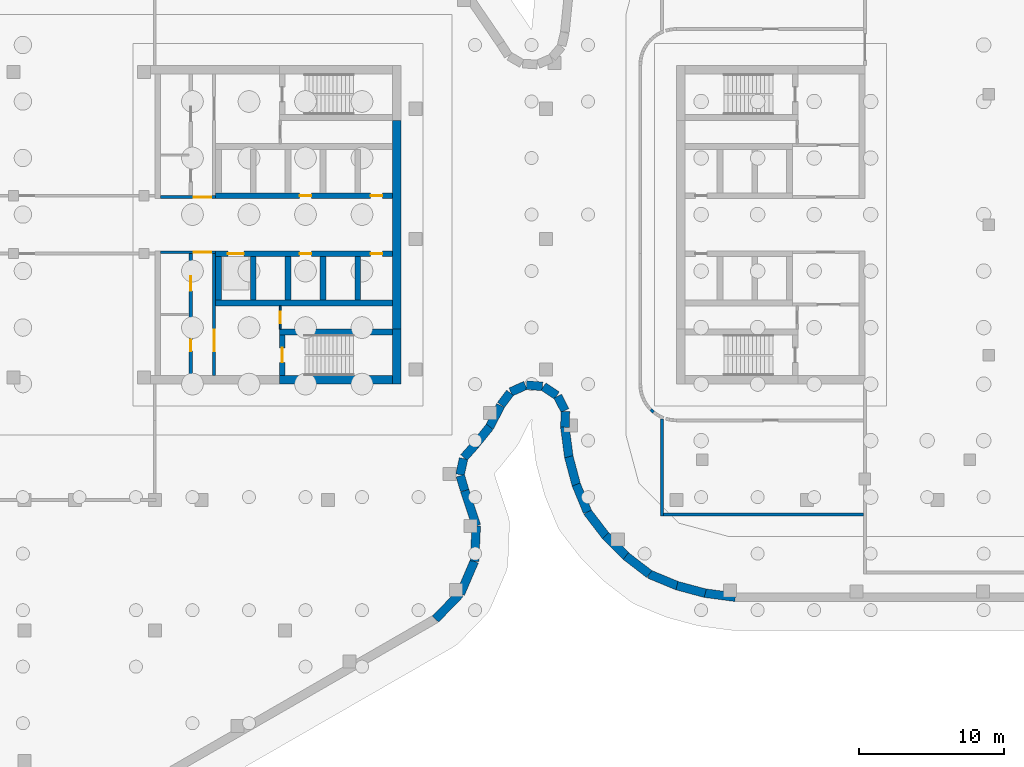
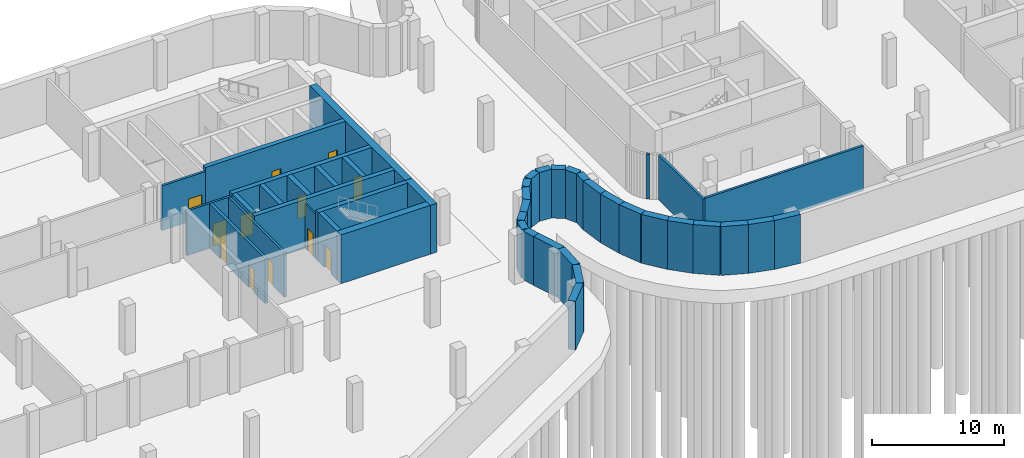
# One storey, part 8 of 18: 45 walls, 12 doors, 12 openings.
"""IFC4 building model written with IfcOpenShell, lengths in metres."""

import ifcopenshell
import ifcopenshell.guid

model = None  # the IFC model being written
_history = None  # IfcOwnerHistory: only IFC2X3 demands one
_inside = {}  # id of a spatial element -> (the spatial element, [elements in it])
_under = {}  # id of a project, library or spatial element -> (it, [spatial elements below it])
_declared = {}  # id of a project -> (the project, [libraries it declares])
_typed = {}  # id of a type object -> (the type object, [elements of that type])
_made_of = {}  # id of a material, layer set ... -> (it, [elements and type objects made of it])


def new_model(schema):
    """Start an empty IFC model of exactly this schema.

    Asked for "IFC4X3", IfcOpenShell would pick the latest addendum, in which some entities
    have other attributes; the version numbers below select the first issue.
    IFC2X3 requires an IfcOwnerHistory on every rooted entity: one is made here for all.
    """
    global model, _history
    if schema == "IFC4X3":
        model = ifcopenshell.file(schema_version=(4, 3, 0, 0))
    else:
        model = ifcopenshell.file(schema=schema)
    _inside.clear()
    _under.clear()
    _declared.clear()
    _typed.clear()
    _made_of.clear()
    _history = None
    if model.schema == "IFC2X3":
        org = make("IfcOrganization", Name="unknown")
        user = make(
            "IfcPersonAndOrganization",
            ThePerson=make("IfcPerson", FamilyName="unknown"),
            TheOrganization=org,
        )
        app = make(
            "IfcApplication",
            ApplicationDeveloper=org,
            Version="unknown",
            ApplicationFullName="unknown",
            ApplicationIdentifier="unknown",
        )
        _history = make(
            "IfcOwnerHistory",
            OwningUser=user,
            OwningApplication=app,
            ChangeAction="ADDED",
            CreationDate=0,
        )
    return model


def make(cls, **values):
    """One entity of the class cls with the attributes given. An attribute that is None is left unset."""
    return model.create_entity(
        cls, **{name: value for name, value in values.items() if value is not None}
    )


def rooted(cls, **values):
    """An entity with a GlobalId (a new one), such as an element, a storey or a relation."""
    return make(cls, GlobalId=ifcopenshell.guid.new(), OwnerHistory=_history, **values)


def si_unit(unit_type, name, prefix=None):
    """IfcSIUnit, for example si_unit("LENGTHUNIT", "METRE", prefix="MILLI")."""
    return make("IfcSIUnit", UnitType=unit_type, Prefix=prefix, Name=name)


def assignment(units):
    """IfcUnitAssignment: the units of a project."""
    return None if units is None else make("IfcUnitAssignment", Units=units)


def point(xyz):
    """IfcCartesianPoint."""
    return None if xyz is None else make("IfcCartesianPoint", Coordinates=xyz)


def direction(xyz):
    """IfcDirection."""
    return None if xyz is None else make("IfcDirection", DirectionRatios=xyz)


def frame(location, z_axis=None, x_axis=None):
    """IfcAxis2Placement3D, a coordinate frame: its origin and axes. An axis left out is left unset."""
    return make(
        "IfcAxis2Placement3D",
        Location=point(location),
        Axis=direction(z_axis),
        RefDirection=direction(x_axis),
    )


def frame_2d(location, x_axis=None):
    """IfcAxis2Placement2D, a coordinate frame in the plane: its origin and x axis."""
    return make(
        "IfcAxis2Placement2D", Location=point(location), RefDirection=direction(x_axis)
    )


def origin():
    """The frame at (0, 0, 0) with its axes left unset."""
    return frame((0.0, 0.0, 0.0))


def place(relative_to, where):
    """IfcLocalPlacement: puts the frame where relative to a parent placement (None: the world)."""
    return make(
        "IfcLocalPlacement", PlacementRelTo=relative_to, RelativePlacement=where
    )


def context(
    kind, dimensions, precision=None, world=None, true_north=None, identifier=None
):
    """IfcGeometricRepresentationContext, for example the 3D "Model" context."""
    return make(
        "IfcGeometricRepresentationContext",
        ContextIdentifier=identifier,
        ContextType=kind,
        CoordinateSpaceDimension=dimensions,
        Precision=precision,
        WorldCoordinateSystem=world,
        TrueNorth=true_north,
    )


def subcontext(parent, identifier, kind, view, scale=None):
    """IfcGeometricRepresentationSubContext, for example "Body" below "Model"."""
    return make(
        "IfcGeometricRepresentationSubContext",
        ContextIdentifier=identifier,
        ContextType=kind,
        ParentContext=parent,
        TargetScale=scale,
        TargetView=view,
    )


def project(units=None, contexts=None):
    """IfcProject with its units and contexts."""
    return rooted(
        "IfcProject",
        Name="project",
        RepresentationContexts=contexts,
        UnitsInContext=assignment(units),
    )


def spatial(cls, under=None, at=None, **own):
    """A site, building, storey or space (cls), placed at a placement, below another one or the project."""
    s = rooted(cls, ObjectPlacement=at, **own)
    if under is not None:
        _under.setdefault(under.id(), (under, []))[1].append(s)
    return s


def profile(cls, at=None, kind="AREA", **sizes):
    """A parametric profile (cls). Its sizes go by their IFC names, for example OverallWidth=200.0."""
    return make(cls, ProfileType=kind, Position=at, **sizes)


def rectangle(**sizes):
    """IfcRectangleProfileDef."""
    return profile("IfcRectangleProfileDef", **sizes)


def extrude(swept, where, along, depth):
    """IfcExtrudedAreaSolid: the profile swept, set in the frame where, extruded along a direction by depth."""
    return make(
        "IfcExtrudedAreaSolid",
        SweptArea=swept,
        Position=where,
        ExtrudedDirection=direction(along),
        Depth=depth,
    )


def shape(context_of_items, identifier, shape_type, items):
    """IfcShapeRepresentation: the items that make up one representation, for example the "Body"."""
    return make(
        "IfcShapeRepresentation",
        ContextOfItems=context_of_items,
        RepresentationIdentifier=identifier,
        RepresentationType=shape_type,
        Items=items,
    )


def material(Name=None, Category=None):
    """IfcMaterial."""
    return make("IfcMaterial", Name=Name, Category=Category)


def layer(
    of_material, thickness, ventilated=None, Name=None, Category=None, Priority=None
):
    """IfcMaterialLayer: one layer of a wall or slab, of a material (None: an air gap)."""
    return make(
        "IfcMaterialLayer",
        Material=of_material,
        LayerThickness=thickness,
        IsVentilated=ventilated,
        Name=Name,
        Category=Category,
        Priority=Priority,
    )


def layer_set(layers, Name=None):
    """IfcMaterialLayerSet."""
    return make("IfcMaterialLayerSet", MaterialLayers=layers, LayerSetName=Name)


def made_of(thing, what):
    """Note that an element or type object is made of a material, layer set ...; save() writes the relation."""
    if what is not None:
        _made_of.setdefault(what.id(), (what, []))[1].append(thing)
    return thing


def type_object(cls, material=None, **own):
    """A type object (cls), such as IfcWallType, which elements share."""
    return made_of(rooted(cls, **own), material)


def element(
    cls,
    number,
    at=None,
    inside=None,
    cuts=None,
    type_object=None,
    material=None,
    context=None,
    identifier="Body",
    shape_type=None,
    held_by="IfcProductDefinitionShape",
    body=None,
    shapes=None,
    **own,
):
    """One element of the class cls, such as IfcWall. Its Tag is "e" and its number.

    at: its placement. inside: the storey or other place that contains it. cuts: it is an
    opening in that element (IfcRelVoidsElement). A single representation is given by context,
    identifier, shape_type and body (its items); several are given by shapes. held_by: the class
    of the entity that holds the representations. save() writes the other relations.
    """
    e = rooted(cls, Tag="e%d" % number, ObjectPlacement=at, **own)
    if body is not None:
        shapes = [shape(context, identifier, shape_type, body)]
    if shapes is not None:
        e.Representation = make(held_by, Representations=shapes)
    if inside is not None:
        _inside.setdefault(inside.id(), (inside, []))[1].append(e)
    if cuts is not None:
        rooted(
            "IfcRelVoidsElement", RelatingBuildingElement=cuts, RelatedOpeningElement=e
        )
    if type_object is not None:
        _typed.setdefault(type_object.id(), (type_object, []))[1].append(e)
    return made_of(e, material)


def fill(opening, filler):
    """IfcRelFillsElement: the door or window that sits in an opening."""
    return rooted(
        "IfcRelFillsElement",
        RelatingOpeningElement=opening,
        RelatedBuildingElement=filler,
    )


def aggregate(whole, parts):
    """IfcRelAggregates: a whole, such as a stair, and the parts it consists of."""
    return rooted("IfcRelAggregates", RelatingObject=whole, RelatedObjects=parts)


def save(model, path):
    """Write the relations noted so far, then the file.

    IfcRelAggregates (storeys below a building ...), IfcRelContainedInSpatialStructure (elements
    in a storey), IfcRelDefinesByType, IfcRelAssociatesMaterial and IfcRelDeclares: one each for
    every whole, place, type object, material and project.
    """
    for whole, parts in _under.values():
        aggregate(whole, parts)
    for where, things in _inside.values():
        rooted(
            "IfcRelContainedInSpatialStructure",
            RelatedElements=things,
            RelatingStructure=where,
        )
    for kind, things in _typed.values():
        rooted("IfcRelDefinesByType", RelatedObjects=things, RelatingType=kind)
    for what, things in _made_of.values():
        rooted("IfcRelAssociatesMaterial", RelatedObjects=things, RelatingMaterial=what)
    for by, libraries in _declared.values():
        rooted("IfcRelDeclares", RelatingContext=by, RelatedDefinitions=libraries)
    model.write(path)


model = new_model("IFC4")

# Units and contexts
model_context = context("Model", 3, precision=1e-05, world=origin(), true_north=direction((0.0, 1.0)))
body_context = subcontext(model_context, "Body", "Model", "MODEL_VIEW")
ifc_project = project(units=[si_unit("LENGTHUNIT", "METRE"), si_unit("AREAUNIT", "SQUARE_METRE"), si_unit("VOLUMEUNIT", "CUBIC_METRE"), si_unit("PLANEANGLEUNIT", "RADIAN"), si_unit("MASSUNIT", "GRAM", prefix="KILO")], contexts=[model_context])

# Site, building, storey
site_placement = place(None, origin())
site = spatial("IfcSite", under=ifc_project, at=site_placement, CompositionType="ELEMENT")
building_placement = place(site_placement, origin())
building = spatial("IfcBuilding", under=site, at=building_placement, Name="Skarvind Civic Tower", CompositionType="ELEMENT")
storey_placement = place(building_placement, frame((0.0, 0.0, -9.0)))
storey = spatial("IfcBuildingStorey", under=building, at=storey_placement, Name="B2", CompositionType="ELEMENT", Elevation=-9.0)

# Walls
ifc_material_1 = material(Name="Concrete C40", Category="concrete")
ifc_layer_1 = layer(ifc_material_1, 0.60009765625)
ifc_layer_set_1 = layer_set([ifc_layer_1], Name="Basement retaining wall 600 C40")
wall_type_1 = type_object("IfcWallType", Name="Basement retaining wall 600 C40", PredefinedType="SHEAR", material=ifc_layer_set_1)
wall_1_placement = place(storey_placement, frame((131.06103515625, 102.29736328125, 0.0), z_axis=(0.0, 0.0, 1.0), x_axis=(-0.991440646942, 0.130558200013, 0.0)))
element("IfcWall", 1, at=wall_1_placement, inside=storey, type_object=wall_type_1, Name="Basement retaining wall B2 64", PredefinedType="SHEAR", context=body_context, shape_type="SweptSolid", body=[
    extrude(rectangle(XDim=2.1318359375, YDim=0.60009765625, at=frame_2d((1.06591796875, 0.0))), origin(), (0.0, 0.0, 1.0), 4.5),
])
wall_2_placement = place(storey_placement, frame((128.986083984375, 102.568115234375, 0.0), z_axis=(0.0, 0.0, 1.0), x_axis=(-0.965929732323, 0.258804467146, 0.0)))
element("IfcWall", 2, at=wall_2_placement, inside=storey, type_object=wall_type_1, Name="Basement retaining wall B2 65", PredefinedType="SHEAR", context=body_context, shape_type="SweptSolid", body=[
    extrude(rectangle(XDim=2.0224609375, YDim=0.60009765625, at=frame_2d((1.01123046875, 0.0))), origin(), (0.0, 0.0, 1.0), 4.5),
])
wall_3_placement = place(storey_placement, frame((127.0693359375, 103.078857421875, 0.0), z_axis=(0.0, 0.0, 1.0), x_axis=(-0.924006983526, 0.382375593358, 0.0)))
element("IfcWall", 3, at=wall_3_placement, inside=storey, type_object=wall_type_1, Name="Basement retaining wall B2 66", PredefinedType="SHEAR", context=body_context, shape_type="SweptSolid", body=[
    extrude(rectangle(XDim=2.114013671875, YDim=0.60009765625, at=frame_2d((1.05712890625, 0.0))), origin(), (0.0, 0.0, 1.0), 4.5),
])
wall_4_placement = place(storey_placement, frame((125.12841796875, 103.890625, 0.0), z_axis=(0.0, 0.0, 1.0), x_axis=(-0.793125485267, 0.609058260448, 0.0)))
element("IfcWall", 4, at=wall_4_placement, inside=storey, type_object=wall_type_1, Name="Basement retaining wall B2 67", PredefinedType="SHEAR", context=body_context, shape_type="SweptSolid", body=[
    extrude(rectangle(XDim=2.0439453125, YDim=0.60009765625, at=frame_2d((1.02197265625, 0.0))), origin(), (0.0, 0.0, 1.0), 4.5),
])
wall_5_placement = place(storey_placement, frame((123.536865234375, 105.109619140625, 0.0), z_axis=(0.0, 0.0, 1.0), x_axis=(-0.707106781187, 0.707106781187, 0.0)))
element("IfcWall", 5, at=wall_5_placement, inside=storey, type_object=wall_type_1, Name="Basement retaining wall B2 68", PredefinedType="SHEAR", context=body_context, shape_type="SweptSolid", body=[
    extrude(rectangle(XDim=2.018310546875, YDim=0.60009765625, at=frame_2d((1.00927734375, 0.0))), origin(), (0.0, 0.0, 1.0), 4.5),
])
wall_6_placement = place(storey_placement, frame((122.135498046875, 106.50732421875, 0.0), z_axis=(0.0, 0.0, 1.0), x_axis=(-0.609052002567, 0.79313029079, 0.0)))
element("IfcWall", 6, at=wall_6_placement, inside=storey, type_object=wall_type_1, Name="Basement retaining wall B2 69", PredefinedType="SHEAR", context=body_context, shape_type="SweptSolid", body=[
    extrude(rectangle(XDim=2.114013671875, YDim=0.60009765625, at=frame_2d((1.05712890625, 0.0))), origin(), (0.0, 0.0, 1.0), 4.5),
])
wall_7_placement = place(storey_placement, frame((120.8603515625, 108.1806640625, 0.0), z_axis=(0.0, 0.0, 1.0), x_axis=(-0.382341242798, 0.924021197839, 0.0)))
element("IfcWall", 7, at=wall_7_placement, inside=storey, type_object=wall_type_1, Name="Basement retaining wall B2 70", PredefinedType="SHEAR", context=body_context, shape_type="SweptSolid", body=[
    extrude(rectangle(XDim=2.0439453125, YDim=0.60009765625, at=frame_2d((1.02197265625, 0.0))), origin(), (0.0, 0.0, 1.0), 4.5),
])
wall_8_placement = place(storey_placement, frame((120.091552734375, 110.032470703125, 0.0), z_axis=(0.0, 0.0, 1.0), x_axis=(-0.258804467146, 0.965929732323, 0.0)))
element("IfcWall", 8, at=wall_8_placement, inside=storey, type_object=wall_type_1, Name="Basement retaining wall B2 71", PredefinedType="SHEAR", context=body_context, shape_type="SweptSolid", body=[
    extrude(rectangle(XDim=2.0224609375, YDim=0.60009765625, at=frame_2d((1.01123046875, 0.0))), origin(), (0.0, 0.0, 1.0), 4.5),
])
wall_9_placement = place(storey_placement, frame((119.57568359375, 111.947509765625, 0.0), z_axis=(0.0, 0.0, 1.0), x_axis=(-0.130558200013, 0.991440646942, 0.0)))
element("IfcWall", 9, at=wall_9_placement, inside=storey, type_object=wall_type_1, Name="Basement retaining wall B2 72", PredefinedType="SHEAR", context=body_context, shape_type="SweptSolid", body=[
    extrude(rectangle(XDim=2.1318359375, YDim=0.60009765625, at=frame_2d((1.06591796875, 0.0))), origin(), (0.0, 0.0, 1.0), 4.5),
])
wall_10_placement = place(storey_placement, frame((119.300048828125, 114.02099609375, 0.0), z_axis=(0.0, 0.0, 1.0), x_axis=(0.035851376959, 0.999357132746, 0.0)))
element("IfcWall", 10, at=wall_10_placement, inside=storey, type_object=wall_type_1, Name="Basement retaining wall B2 73", PredefinedType="SHEAR", context=body_context, shape_type="SweptSolid", body=[
    extrude(rectangle(XDim=1.089599609375, YDim=0.60009765625, at=frame_2d((0.544921875, 0.0))), origin(), (0.0, 0.0, 1.0), 4.5),
])
wall_11_placement = place(storey_placement, frame((119.308837890625, 115.177978515625, 0.0), z_axis=(0.0, 0.0, 1.0), x_axis=(-0.453803794189, 0.891101630781, 0.0)))
element("IfcWall", 11, at=wall_11_placement, inside=storey, type_object=wall_type_1, Name="Basement retaining wall B2 74", PredefinedType="SHEAR", context=body_context, shape_type="SweptSolid", body=[
    extrude(rectangle(XDim=1.109375, YDim=0.60009765625, at=frame_2d((0.5546875, 0.0))), origin(), (0.0, 0.0, 1.0), 4.5),
])
for number, where, z_axis, x_axis, name in (
    (12, (118.745849609375, 116.211181640625, 0.0), (0.0, 0.0, 1.0), (-0.829264210915, 0.55885675132, 0.0), "Basement retaining wall B2 75"),
    (13, (117.751953125, 116.841552734375, 0.0), (0.0, 0.0, 1.0), (-0.996273540208, 0.086249829453, 0.0), "Basement retaining wall B2 76"),
    (14, (116.5771484375, 116.91015625, 0.0), (0.0, 0.0, 1.0), (-0.912911040257, -0.408158587533, 0.0), "Basement retaining wall B2 77"),
):
    element("IfcWall", number, at=place(storey_placement, frame(where, z_axis=z_axis, x_axis=x_axis)), inside=storey, type_object=wall_type_1, Name=name, PredefinedType="SHEAR", context=body_context, shape_type="SweptSolid", body=[
        extrude(rectangle(XDim=1.109619140625, YDim=0.60009765625, at=frame_2d((0.5546875, 0.0))), origin(), (0.0, 0.0, 1.0), 4.5),
    ])
wall_12_placement = place(storey_placement, frame((115.5166015625, 116.400146484375, 0.0), z_axis=(0.0, 0.0, 1.0), x_axis=(-0.599962428306, -0.800028177392, 0.0)))
element("IfcWall", 15, at=wall_12_placement, inside=storey, type_object=wall_type_1, Name="Basement retaining wall B2 78", PredefinedType="SHEAR", context=body_context, shape_type="SweptSolid", body=[
    extrude(rectangle(XDim=1.039794921875, YDim=0.60009765625, at=frame_2d((0.52001953125, 0.0))), origin(), (0.0, 0.0, 1.0), 4.5),
])
wall_13_placement = place(storey_placement, frame((114.865478515625, 115.524658203125, 0.0), z_axis=(0.0, 0.0, 1.0), x_axis=(-0.454203210797, -0.890898110505, 0.0)))
element("IfcWall", 16, at=wall_13_placement, inside=storey, type_object=wall_type_1, Name="Basement retaining wall B2 79", PredefinedType="SHEAR", context=body_context, shape_type="SweptSolid", body=[
    extrude(rectangle(XDim=1.687255859375, YDim=0.60009765625, at=frame_2d((0.84375, 0.0))), origin(), (0.0, 0.0, 1.0), 4.5),
])
wall_14_placement = place(storey_placement, frame((114.114501953125, 114.05078125, 0.0), z_axis=(0.0, 0.0, 1.0), x_axis=(-0.630015715698, -0.77658238325, 0.0)))
element("IfcWall", 17, at=wall_14_placement, inside=storey, type_object=wall_type_1, Name="Basement retaining wall B2 80", PredefinedType="SHEAR", context=body_context, shape_type="SweptSolid", body=[
    extrude(rectangle(XDim=1.657470703125, YDim=0.60009765625, at=frame_2d((0.82861328125, 0.0))), origin(), (0.0, 0.0, 1.0), 4.5),
])
wall_15_placement = place(storey_placement, frame((113.079345703125, 112.77392578125, 0.0), z_axis=(0.0, 0.0, 1.0), x_axis=(-0.664659423307, -0.747146472259, 0.0)))
element("IfcWall", 18, at=wall_15_placement, inside=storey, type_object=wall_type_1, Name="Basement retaining wall B2 81", PredefinedType="SHEAR", context=body_context, shape_type="SweptSolid", body=[
    extrude(rectangle(XDim=1.127685546875, YDim=0.60009765625, at=frame_2d((0.56396484375, 0.0))), origin(), (0.0, 0.0, 1.0), 4.5),
])
wall_16_placement = place(storey_placement, frame((112.309814453125, 111.859130859375, 0.0), z_axis=(0.0, 0.0, 1.0), x_axis=(-0.216998636299, -0.976171906912, 0.0)))
element("IfcWall", 19, at=wall_16_placement, inside=storey, type_object=wall_type_1, Name="Basement retaining wall B2 82", PredefinedType="SHEAR", context=body_context, shape_type="SweptSolid", body=[
    extrude(rectangle(XDim=1.137451171875, YDim=0.60009765625, at=frame_2d((0.56884765625, 0.0))), origin(), (0.0, 0.0, 1.0), 4.5),
])
wall_17_placement = place(storey_placement, frame((112.08056640625, 110.67578125, 0.0), z_axis=(0.0, 0.0, 1.0), x_axis=(0.285606178301, -0.958347072264, 0.0)))
element("IfcWall", 20, at=wall_17_placement, inside=storey, type_object=wall_type_1, Name="Basement retaining wall B2 83", PredefinedType="SHEAR", context=body_context, shape_type="SweptSolid", body=[
    extrude(rectangle(XDim=1.067626953125, YDim=0.60009765625, at=frame_2d((0.53369140625, 0.0))), origin(), (0.0, 0.0, 1.0), 4.5),
])
wall_18_placement = place(storey_placement, frame((112.388427734375, 109.643310546875, 0.0), z_axis=(0.0, 0.0, 1.0), x_axis=(0.316342415142, -0.948645073978, 0.0)))
element("IfcWall", 21, at=wall_18_placement, inside=storey, type_object=wall_type_1, Name="Basement retaining wall B2 84", PredefinedType="SHEAR", context=body_context, shape_type="SweptSolid", body=[
    extrude(rectangle(XDim=2.555419921875, YDim=0.60009765625, at=frame_2d((1.27783203125, 0.0))), origin(), (0.0, 0.0, 1.0), 4.5),
])
for number, where, z_axis, x_axis, name in (
    (22, (113.1767578125, 107.206787109375, 0.0), (0.0, 0.0, 1.0), (-0.042001630397, -0.999117542156, 0.0), "Basement retaining wall B2 85"),
    (23, (113.05126953125, 104.76904296875, 0.0), (0.0, 0.0, 1.0), (-0.394862771196, -0.918740111198, 0.0), "Basement retaining wall B2 86"),
    (24, (112.06640625, 102.53564453125, 0.0), (0.0, 0.0, 1.0), (-0.695943864418, -0.718096189643, 0.0), "Basement retaining wall B2 87"),
):
    element("IfcWall", number, at=place(storey_placement, frame(where, z_axis=z_axis, x_axis=x_axis)), inside=storey, type_object=wall_type_1, Name=name, PredefinedType="SHEAR", context=body_context, shape_type="SweptSolid", body=[
        extrude(rectangle(XDim=2.435546875, YDim=0.60009765625, at=frame_2d((1.2177734375, 0.0))), origin(), (0.0, 0.0, 1.0), 4.5),
    ])

# Wall, opening, door
ifc_material_2 = material(Name="Fire-rated masonry partition", Category="masonry")
ifc_layer_2 = layer(ifc_material_2, 0.199951171875)
ifc_layer_set_2 = layer_set([ifc_layer_2], Name="Core enclosure wall 200")
wall_type_2 = type_object("IfcWallType", Name="Core enclosure wall 200", PredefinedType="PARTITIONING", material=ifc_layer_set_2)
wall_19_placement = place(storey_placement, frame((95.199951171875, 126.10009765625, 0.0), z_axis=(0.0, 0.0, 1.0), x_axis=(-1.0, 0.0, 0.0)))
wall_19 = element("IfcWall", 25, at=wall_19_placement, inside=storey, type_object=wall_type_2, Name="Core wall C1", PredefinedType="PARTITIONING", context=body_context, shape_type="SweptSolid", body=[
    extrude(rectangle(XDim=3.800048828125, YDim=0.199951171875, at=frame_2d((1.89990234375, 0.0))), origin(), (0.0, 0.0, 1.0), 4.125),
])
opening_1_placement = place(wall_19_placement, frame((0.300048828125, 0.0, 0.0)))
opening_1 = element("IfcOpeningElement", 26, at=opening_1_placement, cuts=wall_19, Name="Opening D-B2-C1-06", PredefinedType="OPENING", context=body_context, shape_type="SweptSolid", body=[
    extrude(rectangle(XDim=1.199951171875, YDim=2.10009765625, at=frame_2d((0.60009765625, 1.050048828125))), frame((0.0, 0.10986328125, 0.0), z_axis=(0.0, -1.0, 0.0), x_axis=(1.0, 0.0, 0.0)), (0.0, 0.0, 1.0), 0.219970703125),
])
ifc_material_3 = material(Name="Fire-rated steel door", Category="steel")
door_type_1 = type_object("IfcDoorType", Name="Core lobby door 1200", OperationType="NOTDEFINED", PredefinedType="DOOR", material=ifc_material_3)
door_1_placement = place(opening_1_placement, origin())
door_1 = element("IfcDoor", 27, at=door_1_placement, inside=storey, type_object=door_type_1, Name="Fire door", OperationType="DOUBLE_DOOR_SINGLE_SWING", OverallHeight=2.10009765625, OverallWidth=1.199951171875, PredefinedType="DOOR", context=body_context, shape_type="SweptSolid", body=[
    extrude(rectangle(XDim=1.199951171875, YDim=2.10009765625, at=frame_2d((0.60009765625, 1.050048828125))), frame((0.0, 0.02490234375, 0.0), z_axis=(0.0, -1.0, 0.0), x_axis=(1.0, 0.0, 0.0)), (0.0, 0.0, 1.0), 0.050048828125),
])
fill(opening_1, door_1)

wall_20_placement = place(storey_placement, frame((95.10009765625, 117.60009765625, 0.0), z_axis=(0.0, 0.0, 1.0), x_axis=(0.0, 1.0, 0.0)))
wall_20 = element("IfcWall", 28, at=wall_20_placement, inside=storey, type_object=wall_type_2, Name="Core wall C1", PredefinedType="PARTITIONING", context=body_context, shape_type="SweptSolid", body=[
    extrude(rectangle(XDim=8.39990234375, YDim=0.199951171875, at=frame_2d((4.199951171875, 0.0))), origin(), (0.0, 0.0, 1.0), 4.125),
])
opening_2_placement = place(wall_20_placement, frame((1.64990234375, 0.0, 0.0)))
opening_2 = element("IfcOpeningElement", 29, at=opening_2_placement, cuts=wall_20, Name="Opening D-B2-C1-07", PredefinedType="OPENING", context=body_context, shape_type="SweptSolid", body=[
    extrude(rectangle(XDim=1.5, YDim=2.10009765625, at=frame_2d((0.75, 1.050048828125))), frame((0.0, 0.10986328125, 0.0), z_axis=(0.0, -1.0, 0.0), x_axis=(1.0, 0.0, 0.0)), (0.0, 0.0, 1.0), 0.219970703125),
])
door_type_2 = type_object("IfcDoorType", Name="Fire door 1500", OperationType="NOTDEFINED", PredefinedType="DOOR", material=ifc_material_3)
door_2_placement = place(opening_2_placement, origin())
door_2 = element("IfcDoor", 30, at=door_2_placement, inside=storey, type_object=door_type_2, Name="Fire door", OperationType="DOUBLE_DOOR_SINGLE_SWING", OverallHeight=2.10009765625, OverallWidth=1.5, PredefinedType="DOOR", context=body_context, shape_type="SweptSolid", body=[
    extrude(rectangle(XDim=1.5, YDim=2.10009765625, at=frame_2d((0.75, 1.050048828125))), frame((0.0, 0.02490234375, 0.0), z_axis=(0.0, -1.0, 0.0), x_axis=(1.0, 0.0, 0.0)), (0.0, 0.0, 1.0), 0.050048828125),
])
fill(opening_2, door_2)

wall_21_placement = place(storey_placement, frame((91.39990234375, 129.89990234375, 0.0), z_axis=(0.0, 0.0, 1.0), x_axis=(1.0, 0.0, 0.0)))
wall_21 = element("IfcWall", 31, at=wall_21_placement, inside=storey, type_object=wall_type_2, Name="Core wall C1", PredefinedType="PARTITIONING", context=body_context, shape_type="SweptSolid", body=[
    extrude(rectangle(XDim=3.800048828125, YDim=0.199951171875, at=frame_2d((1.89990234375, 0.0))), origin(), (0.0, 0.0, 1.0), 4.125),
])
opening_3_placement = place(wall_21_placement, frame((2.300048828125, 0.0, 0.0)))
opening_3 = element("IfcOpeningElement", 32, at=opening_3_placement, cuts=wall_21, Name="Opening D-B2-C1-12", PredefinedType="OPENING", context=body_context, shape_type="SweptSolid", body=[
    extrude(rectangle(XDim=1.199951171875, YDim=2.10009765625, at=frame_2d((0.60009765625, 1.050048828125))), frame((0.0, 0.10986328125, 0.0), z_axis=(0.0, -1.0, 0.0), x_axis=(1.0, 0.0, 0.0)), (0.0, 0.0, 1.0), 0.219970703125),
])
door_3_placement = place(opening_3_placement, origin())
door_3 = element("IfcDoor", 33, at=door_3_placement, inside=storey, type_object=door_type_1, Name="Fire door", OperationType="DOUBLE_DOOR_SINGLE_SWING", OverallHeight=2.10009765625, OverallWidth=1.199951171875, PredefinedType="DOOR", context=body_context, shape_type="SweptSolid", body=[
    extrude(rectangle(XDim=1.199951171875, YDim=2.10009765625, at=frame_2d((0.60009765625, 1.050048828125))), frame((0.0, 0.02490234375, 0.0), z_axis=(0.0, -1.0, 0.0), x_axis=(1.0, 0.0, 0.0)), (0.0, 0.0, 1.0), 0.050048828125),
])
fill(opening_3, door_3)

# Wall
ifc_material_4 = material(Name="Concrete C80", Category="concrete")
ifc_layer_3 = layer(ifc_material_4, 0.39990234375)
ifc_layer_set_3 = layer_set([ifc_layer_3], Name="Core wall 400 C80")
wall_type_3 = type_object("IfcWallType", Name="Core wall 400 C80", PredefinedType="SHEAR", material=ifc_layer_set_3)
wall_22_placement = place(storey_placement, frame((107.39990234375, 120.60009765625, 0.0), z_axis=(0.0, 0.0, 1.0), x_axis=(-1.0, 0.0, 0.0)))
element("IfcWall", 34, at=wall_22_placement, inside=storey, type_object=wall_type_3, Name="Core wall C1 north stair inner B2", PredefinedType="SHEAR", context=body_context, shape_type="SweptSolid", body=[
    extrude(rectangle(XDim=7.7998046875, YDim=0.39990234375, at=frame_2d((3.89990234375, 0.0))), origin(), (0.0, 0.0, 1.0), 4.5),
])

# Wall, opening, door
wall_23_placement = place(storey_placement, frame((99.800048828125, 120.39990234375, 0.0), z_axis=(0.0, 0.0, 1.0), x_axis=(0.0, -1.0, 0.0)))
wall_23 = element("IfcWall", 35, at=wall_23_placement, inside=storey, type_object=wall_type_3, Name="Core wall C1 north stair end B2", PredefinedType="SHEAR", context=body_context, shape_type="SweptSolid", body=[
    extrude(rectangle(XDim=2.7998046875, YDim=0.39990234375, at=frame_2d((1.39990234375, 0.0))), origin(), (0.0, 0.0, 1.0), 4.5),
])
opening_4_placement = place(wall_23_placement, frame((0.89990234375, 0.0, 0.0)))
opening_4 = element("IfcOpeningElement", 36, at=opening_4_placement, cuts=wall_23, Name="Opening D-B2-C1-08", PredefinedType="OPENING", context=body_context, shape_type="SweptSolid", body=[
    extrude(rectangle(XDim=1.0, YDim=2.10009765625, at=frame_2d((0.5, 1.050048828125))), frame((0.0, 0.2099609375, 0.0), z_axis=(0.0, -1.0, 0.0), x_axis=(1.0, 0.0, 0.0)), (0.0, 0.0, 1.0), 0.419921875),
])
door_type_3 = type_object("IfcDoorType", Name="Fire door 1000", OperationType="NOTDEFINED", PredefinedType="DOOR", material=ifc_material_3)
door_4_placement = place(opening_4_placement, origin())
door_4 = element("IfcDoor", 37, at=door_4_placement, inside=storey, type_object=door_type_3, Name="Fire door", OperationType="SINGLE_SWING_LEFT", OverallHeight=2.10009765625, OverallWidth=1.0, PredefinedType="DOOR", context=body_context, shape_type="SweptSolid", body=[
    extrude(rectangle(XDim=1.0, YDim=2.10009765625, at=frame_2d((0.5, 1.050048828125))), frame((0.0, 0.02490234375, 0.0), z_axis=(0.0, -1.0, 0.0), x_axis=(1.0, 0.0, 0.0)), (0.0, 0.0, 1.0), 0.050048828125),
])
fill(opening_4, door_4)

# Wall, openings, doors
wall_24_placement = place(storey_placement, frame((107.39990234375, 130.0, 0.0), z_axis=(0.0, 0.0, 1.0), x_axis=(-1.0, 0.0, 0.0)))
wall_24 = element("IfcWall", 38, at=wall_24_placement, inside=storey, type_object=wall_type_3, Name="Core wall C1 south lift row front B2", PredefinedType="SHEAR", context=body_context, shape_type="SweptSolid", body=[
    extrude(rectangle(XDim=12.199951171875, YDim=0.39990234375, at=frame_2d((6.10009765625, 0.0))), origin(), (0.0, 0.0, 1.0), 4.5),
])
opening_5_placement = place(wall_24_placement, frame((0.699951171875, 0.0, 0.0)))
opening_5 = element("IfcOpeningElement", 39, at=opening_5_placement, cuts=wall_24, Name="Opening D-B2-C1-04", PredefinedType="OPENING", context=body_context, shape_type="SweptSolid", body=[
    extrude(rectangle(XDim=0.800048828125, YDim=2.10009765625, at=frame_2d((0.39990234375, 1.050048828125))), frame((0.0, 0.2099609375, 0.0), z_axis=(0.0, -1.0, 0.0), x_axis=(1.0, 0.0, 0.0)), (0.0, 0.0, 1.0), 0.419921875),
])
opening_6_placement = place(wall_24_placement, frame((5.60009765625, 0.0, 0.0)))
opening_6 = element("IfcOpeningElement", 40, at=opening_6_placement, cuts=wall_24, Name="Opening D-B2-C1-05", PredefinedType="OPENING", context=body_context, shape_type="SweptSolid", body=[
    extrude(rectangle(XDim=0.800048828125, YDim=2.10009765625, at=frame_2d((0.39990234375, 1.050048828125))), frame((0.0, 0.2099609375, 0.0), z_axis=(0.0, -1.0, 0.0), x_axis=(1.0, 0.0, 0.0)), (0.0, 0.0, 1.0), 0.419921875),
])
door_type_4 = type_object("IfcDoorType", Name="Core riser door 800", OperationType="NOTDEFINED", PredefinedType="DOOR", material=ifc_material_3)
door_5_placement = place(opening_5_placement, origin())
door_5 = element("IfcDoor", 41, at=door_5_placement, inside=storey, type_object=door_type_4, Name="Riser door", OperationType="SINGLE_SWING_LEFT", OverallHeight=2.10009765625, OverallWidth=0.800048828125, PredefinedType="DOOR", context=body_context, shape_type="SweptSolid", body=[
    extrude(rectangle(XDim=0.800048828125, YDim=2.10009765625, at=frame_2d((0.39990234375, 1.050048828125))), frame((0.0, 0.02490234375, 0.0), z_axis=(0.0, -1.0, 0.0), x_axis=(1.0, 0.0, 0.0)), (0.0, 0.0, 1.0), 0.050048828125),
])
fill(opening_5, door_5)
door_6_placement = place(opening_6_placement, origin())
door_6 = element("IfcDoor", 42, at=door_6_placement, inside=storey, type_object=door_type_4, Name="Riser door", OperationType="SINGLE_SWING_RIGHT", OverallHeight=2.10009765625, OverallWidth=0.800048828125, PredefinedType="DOOR", context=body_context, shape_type="SweptSolid", body=[
    extrude(rectangle(XDim=0.800048828125, YDim=2.10009765625, at=frame_2d((0.39990234375, 1.050048828125))), frame((0.0, 0.02490234375, 0.0), z_axis=(0.0, -1.0, 0.0), x_axis=(1.0, 0.0, 0.0)), (0.0, 0.0, 1.0), 0.050048828125),
])
fill(opening_6, door_6)

wall_25_placement = place(storey_placement, frame((107.39990234375, 126.0, 0.0), z_axis=(0.0, 0.0, 1.0), x_axis=(-1.0, 0.0, 0.0)))
wall_25 = element("IfcWall", 43, at=wall_25_placement, inside=storey, type_object=wall_type_3, Name="Core wall C1 north lift row front B2", PredefinedType="SHEAR", context=body_context, shape_type="SweptSolid", body=[
    extrude(rectangle(XDim=12.199951171875, YDim=0.39990234375, at=frame_2d((6.10009765625, 0.0))), origin(), (0.0, 0.0, 1.0), 4.5),
])
opening_7_placement = place(wall_25_placement, frame((10.25, 0.0, 0.0)))
opening_7 = element("IfcOpeningElement", 44, at=opening_7_placement, cuts=wall_25, Name="Opening LD00105", PredefinedType="OPENING", context=body_context, shape_type="SweptSolid", body=[
    extrude(rectangle(XDim=1.10009765625, YDim=2.10009765625, at=frame_2d((0.550048828125, 1.050048828125))), frame((0.0, 0.2099609375, 0.0), z_axis=(0.0, -1.0, 0.0), x_axis=(1.0, 0.0, 0.0)), (0.0, 0.0, 1.0), 0.419921875),
])
opening_8_placement = place(wall_25_placement, frame((0.699951171875, 0.0, 0.0)))
opening_8 = element("IfcOpeningElement", 45, at=opening_8_placement, cuts=wall_25, Name="Opening D-B2-C1-02", PredefinedType="OPENING", context=body_context, shape_type="SweptSolid", body=[
    extrude(rectangle(XDim=0.800048828125, YDim=2.10009765625, at=frame_2d((0.39990234375, 1.050048828125))), frame((0.0, 0.2099609375, 0.0), z_axis=(0.0, -1.0, 0.0), x_axis=(1.0, 0.0, 0.0)), (0.0, 0.0, 1.0), 0.419921875),
])
opening_9_placement = place(wall_25_placement, frame((5.60009765625, 0.0, 0.0)))
opening_9 = element("IfcOpeningElement", 46, at=opening_9_placement, cuts=wall_25, Name="Opening D-B2-C1-03", PredefinedType="OPENING", context=body_context, shape_type="SweptSolid", body=[
    extrude(rectangle(XDim=0.800048828125, YDim=2.10009765625, at=frame_2d((0.39990234375, 1.050048828125))), frame((0.0, 0.2099609375, 0.0), z_axis=(0.0, -1.0, 0.0), x_axis=(1.0, 0.0, 0.0)), (0.0, 0.0, 1.0), 0.419921875),
])
door_7_placement = place(opening_8_placement, origin())
door_7 = element("IfcDoor", 47, at=door_7_placement, inside=storey, type_object=door_type_4, Name="Riser door", OperationType="SINGLE_SWING_LEFT", OverallHeight=2.10009765625, OverallWidth=0.800048828125, PredefinedType="DOOR", context=body_context, shape_type="SweptSolid", body=[
    extrude(rectangle(XDim=0.800048828125, YDim=2.10009765625, at=frame_2d((0.39990234375, 1.050048828125))), frame((0.0, 0.02490234375, 0.0), z_axis=(0.0, -1.0, 0.0), x_axis=(1.0, 0.0, 0.0)), (0.0, 0.0, 1.0), 0.050048828125),
])
fill(opening_8, door_7)
door_8_placement = place(opening_9_placement, origin())
door_8 = element("IfcDoor", 48, at=door_8_placement, inside=storey, type_object=door_type_4, Name="Riser door", OperationType="SINGLE_SWING_RIGHT", OverallHeight=2.10009765625, OverallWidth=0.800048828125, PredefinedType="DOOR", context=body_context, shape_type="SweptSolid", body=[
    extrude(rectangle(XDim=0.800048828125, YDim=2.10009765625, at=frame_2d((0.39990234375, 1.050048828125))), frame((0.0, 0.02490234375, 0.0), z_axis=(0.0, -1.0, 0.0), x_axis=(1.0, 0.0, 0.0)), (0.0, 0.0, 1.0), 0.050048828125),
])
fill(opening_9, door_8)
ifc_material_5 = material(Name="Stainless steel landing door", Category="steel")
door_type_5 = type_object("IfcDoorType", Name="Lift landing door 1100", OperationType="DOUBLE_DOOR_SLIDING", PredefinedType="DOOR", material=ifc_material_5)
door_9_placement = place(opening_7_placement, origin())
door_9 = element("IfcDoor", 49, at=door_9_placement, inside=storey, type_object=door_type_5, Name="Lift landing door", OperationType="DOUBLE_DOOR_SLIDING", OverallHeight=2.10009765625, OverallWidth=1.10009765625, PredefinedType="DOOR", context=body_context, shape_type="SweptSolid", body=[
    extrude(rectangle(XDim=1.10009765625, YDim=2.10009765625, at=frame_2d((0.550048828125, 1.050048828125))), frame((0.0, 0.02490234375, 0.0), z_axis=(0.0, -1.0, 0.0), x_axis=(1.0, 0.0, 0.0)), (0.0, 0.0, 1.0), 0.050048828125),
])
fill(opening_7, door_9)

# Walls
wall_26_placement = place(storey_placement, frame((107.39990234375, 122.60009765625, 0.0), z_axis=(0.0, 0.0, 1.0), x_axis=(-1.0, 0.0, 0.0)))
element("IfcWall", 50, at=wall_26_placement, inside=storey, type_object=wall_type_3, Name="Core wall C1 north lift row back B2", PredefinedType="SHEAR", context=body_context, shape_type="SweptSolid", body=[
    extrude(rectangle(XDim=12.199951171875, YDim=0.39990234375, at=frame_2d((6.10009765625, 0.0))), origin(), (0.0, 0.0, 1.0), 4.5),
])
for number, where, z_axis, x_axis, name in (
    (51, (105.0, 125.800048828125, 0.0), (0.0, 0.0, 1.0), (0.0, -1.0, 0.0), "Core wall C1 north lift row division 1 B2"),
    (52, (102.60009765625, 125.800048828125, 0.0), (0.0, 0.0, 1.0), (0.0, -1.0, 0.0), "Core wall C1 north lift row division 2 B2"),
    (53, (100.199951171875, 125.800048828125, 0.0), (0.0, 0.0, 1.0), (0.0, -1.0, 0.0), "Core wall C1 north lift row division 3 B2"),
    (54, (97.800048828125, 125.800048828125, 0.0), (0.0, 0.0, 1.0), (0.0, -1.0, 0.0), "Core wall C1 north lift row division 4 B2"),
    (55, (95.39990234375, 125.800048828125, 0.0), (0.0, 0.0, 1.0), (0.0, -1.0, 0.0), "Core wall C1 north lift row division 5 B2"),
):
    element("IfcWall", number, at=place(storey_placement, frame(where, z_axis=z_axis, x_axis=x_axis)), inside=storey, type_object=wall_type_3, Name=name, PredefinedType="SHEAR", context=body_context, shape_type="SweptSolid", body=[
        extrude(rectangle(XDim=3.0, YDim=0.39990234375, at=frame_2d((1.5, 0.0))), origin(), (0.0, 0.0, 1.0), 4.5),
    ])
ifc_layer_4 = layer(ifc_material_4, 0.60009765625)
ifc_layer_set_4 = layer_set([ifc_layer_4], Name="Core wall 600 C80")
wall_type_4 = type_object("IfcWallType", Name="Core wall 600 C80", PredefinedType="SHEAR", material=ifc_layer_set_4)
wall_27_placement = place(storey_placement, frame((107.699951171875, 135.199951171875, 0.0), z_axis=(0.0, 0.0, 1.0), x_axis=(0.0, -1.0, 0.0)))
element("IfcWall", 56, at=wall_27_placement, inside=storey, type_object=wall_type_4, Name="Core wall C1 tip between the stairs B2", PredefinedType="SHEAR", context=body_context, shape_type="SweptSolid", body=[
    extrude(rectangle(XDim=14.39990234375, YDim=0.60009765625, at=frame_2d((7.199951171875, 0.0))), origin(), (0.0, 0.0, 1.0), 4.5),
])
wall_28_placement = place(storey_placement, frame((107.699951171875, 120.800048828125, 0.0), z_axis=(0.0, 0.0, 1.0), x_axis=(0.0, -1.0, 0.0)))
element("IfcWall", 57, at=wall_28_placement, inside=storey, type_object=wall_type_4, Name="Core wall C1 tip at the north stair B2", PredefinedType="SHEAR", context=body_context, shape_type="SweptSolid", body=[
    extrude(rectangle(XDim=3.800048828125, YDim=0.60009765625, at=frame_2d((1.89990234375, 0.0))), origin(), (0.0, 0.0, 1.0), 4.5),
])
wall_29_placement = place(storey_placement, frame((107.39990234375, 117.300048828125, 0.0), z_axis=(0.0, 0.0, 1.0), x_axis=(-1.0, 0.0, 0.0)))
element("IfcWall", 58, at=wall_29_placement, inside=storey, type_object=wall_type_4, Name="Core wall C1 north side at the stair B2", PredefinedType="SHEAR", context=body_context, shape_type="SweptSolid", body=[
    extrude(rectangle(XDim=7.7998046875, YDim=0.60009765625, at=frame_2d((3.89990234375, 0.0))), origin(), (0.0, 0.0, 1.0), 4.5),
])
ifc_material_6 = material(Name="Fire-rated blockwork wall, plastered", Category="masonry")
ifc_layer_5 = layer(ifc_material_6, 0.199951171875)
ifc_layer_set_5 = layer_set([ifc_layer_5], Name="FIRE WALL 200 EI 120")
wall_type_5 = type_object("IfcWallType", Name="FIRE WALL 200 EI 120", PredefinedType="PARTITIONING", material=ifc_layer_set_5)
wall_30_placement = place(storey_placement, frame((125.22802734375, 115.235107421875, 0.0), z_axis=(0.0, 0.0, 1.0), x_axis=(0.742914175687, -0.66938668015, 0.0)))
element("IfcWall", 59, at=wall_30_placement, inside=storey, type_object=wall_type_5, Name="Basement partition B2 057", PredefinedType="PARTITIONING", context=body_context, shape_type="SweptSolid", body=[
    extrude(rectangle(XDim=0.255615234375, YDim=0.199951171875, at=frame_2d((0.1279296875, 0.0))), origin(), (0.0, 0.0, 1.0), 4.125),
])
wall_31_placement = place(storey_placement, frame((126.0, 107.89990234375, 0.0), z_axis=(0.0, 0.0, 1.0), x_axis=(0.0, 1.0, 0.0)))
element("IfcWall", 60, at=wall_31_placement, inside=storey, type_object=wall_type_5, Name="Basement partition B2 065", PredefinedType="PARTITIONING", context=body_context, shape_type="SweptSolid", body=[
    extrude(rectangle(XDim=6.69921875, YDim=0.199951171875, at=frame_2d((3.349609375, 0.0))), origin(), (0.0, 0.0, 1.0), 4.125),
])
ifc_layer_6 = layer(ifc_material_6, 0.199951171875)
ifc_layer_set_6 = layer_set([ifc_layer_6], Name="FIRE WALL 200 EI 60")
wall_type_6 = type_object("IfcWallType", Name="FIRE WALL 200 EI 60", PredefinedType="PARTITIONING", material=ifc_layer_set_6)
wall_32_placement = place(storey_placement, frame((126.10009765625, 108.0, 0.0), z_axis=(0.0, 0.0, 1.0), x_axis=(1.0, 0.0, 0.0)))
element("IfcWall", 61, at=wall_32_placement, inside=storey, type_object=wall_type_6, Name="Basement partition B2 066", PredefinedType="PARTITIONING", context=body_context, shape_type="SweptSolid", body=[
    extrude(rectangle(XDim=13.7998046875, YDim=0.199951171875, at=frame_2d((6.89990234375, 0.0))), origin(), (0.0, 0.0, 1.0), 4.125),
])

# Wall, opening, door
ifc_layer_7 = layer(ifc_material_2, 0.125)
ifc_layer_set_7 = layer_set([ifc_layer_7], Name="Riser wall 125")
wall_type_7 = type_object("IfcWallType", Name="Riser wall 125", PredefinedType="PARTITIONING", material=ifc_layer_set_7)
wall_33_placement = place(storey_placement, frame((99.66259765625, 120.800048828125, 0.0), z_axis=(0.0, 0.0, 1.0), x_axis=(0.0, 1.0, 0.0)))
wall_33 = element("IfcWall", 62, at=wall_33_placement, inside=storey, type_object=wall_type_7, Name="Core wall C1", PredefinedType="PARTITIONING", context=body_context, shape_type="SweptSolid", body=[
    extrude(rectangle(XDim=1.599853515625, YDim=0.125, at=frame_2d((0.7998046875, 0.0))), origin(), (0.0, 0.0, 1.0), 4.125),
])
opening_10_placement = place(wall_33_placement, frame((0.39990234375, 0.0, 0.0)))
opening_10 = element("IfcOpeningElement", 63, at=opening_10_placement, cuts=wall_33, Name="Opening D-B2-C1-09", PredefinedType="OPENING", context=body_context, shape_type="SweptSolid", body=[
    extrude(rectangle(XDim=0.800048828125, YDim=2.10009765625, at=frame_2d((0.39990234375, 1.050048828125))), frame((0.0, 0.072509765625, 0.0), z_axis=(0.0, -1.0, 0.0), x_axis=(1.0, 0.0, 0.0)), (0.0, 0.0, 1.0), 0.14501953125),
])
door_10_placement = place(opening_10_placement, origin())
door_10 = element("IfcDoor", 64, at=door_10_placement, inside=storey, type_object=door_type_4, Name="Riser door", OperationType="SINGLE_SWING_RIGHT", OverallHeight=2.10009765625, OverallWidth=0.800048828125, PredefinedType="DOOR", context=body_context, shape_type="SweptSolid", body=[
    extrude(rectangle(XDim=0.800048828125, YDim=2.10009765625, at=frame_2d((0.39990234375, 1.050048828125))), frame((0.0, 0.02490234375, 0.0), z_axis=(0.0, -1.0, 0.0), x_axis=(1.0, 0.0, 0.0)), (0.0, 0.0, 1.0), 0.050048828125),
])
fill(opening_10, door_10)

# Wall, openings, doors
ifc_layer_8 = layer(ifc_material_2, 0.25)
ifc_layer_set_8 = layer_set([ifc_layer_8], Name="Service block wall 250")
wall_type_8 = type_object("IfcWallType", Name="Service block wall 250", PredefinedType="PARTITIONING", material=ifc_layer_set_8)
wall_34_placement = place(storey_placement, frame((93.47509765625, 117.60009765625, 0.0), z_axis=(0.0, 0.0, 1.0), x_axis=(0.0, 1.0, 0.0)))
wall_34 = element("IfcWall", 65, at=wall_34_placement, inside=storey, type_object=wall_type_8, Name="Core wall C1", PredefinedType="PARTITIONING", context=body_context, shape_type="SweptSolid", body=[
    extrude(rectangle(XDim=8.39990234375, YDim=0.25, at=frame_2d((4.199951171875, 0.0))), origin(), (0.0, 0.0, 1.0), 4.125),
])
opening_11_placement = place(wall_34_placement, frame((5.824951171875, 0.0, 0.0)))
opening_11 = element("IfcOpeningElement", 66, at=opening_11_placement, cuts=wall_34, Name="Opening D-B2-C1-10", PredefinedType="OPENING", context=body_context, shape_type="SweptSolid", body=[
    extrude(rectangle(XDim=1.0, YDim=2.10009765625, at=frame_2d((0.5, 1.050048828125))), frame((0.0, 0.135009765625, 0.0), z_axis=(0.0, -1.0, 0.0), x_axis=(1.0, 0.0, 0.0)), (0.0, 0.0, 1.0), 0.27001953125),
])
opening_12_placement = place(wall_34_placement, frame((1.675048828125, 0.0, 0.0)))
opening_12 = element("IfcOpeningElement", 67, at=opening_12_placement, cuts=wall_34, Name="Opening D-B2-C1-11", PredefinedType="OPENING", context=body_context, shape_type="SweptSolid", body=[
    extrude(rectangle(XDim=0.800048828125, YDim=2.10009765625, at=frame_2d((0.39990234375, 1.050048828125))), frame((0.0, 0.135009765625, 0.0), z_axis=(0.0, -1.0, 0.0), x_axis=(1.0, 0.0, 0.0)), (0.0, 0.0, 1.0), 0.27001953125),
])
door_11_placement = place(opening_12_placement, origin())
door_11 = element("IfcDoor", 68, at=door_11_placement, inside=storey, type_object=door_type_4, Name="Riser door", OperationType="SINGLE_SWING_RIGHT", OverallHeight=2.10009765625, OverallWidth=0.800048828125, PredefinedType="DOOR", context=body_context, shape_type="SweptSolid", body=[
    extrude(rectangle(XDim=0.800048828125, YDim=2.10009765625, at=frame_2d((0.39990234375, 1.050048828125))), frame((0.0, 0.02490234375, 0.0), z_axis=(0.0, -1.0, 0.0), x_axis=(1.0, 0.0, 0.0)), (0.0, 0.0, 1.0), 0.050048828125),
])
fill(opening_12, door_11)
door_12_placement = place(opening_11_placement, origin())
door_12 = element("IfcDoor", 69, at=door_12_placement, inside=storey, type_object=door_type_3, Name="Fire door", OperationType="SINGLE_SWING_LEFT", OverallHeight=2.10009765625, OverallWidth=1.0, PredefinedType="DOOR", context=body_context, shape_type="SweptSolid", body=[
    extrude(rectangle(XDim=1.0, YDim=2.10009765625, at=frame_2d((0.5, 1.050048828125))), frame((0.0, 0.02490234375, 0.0), z_axis=(0.0, -1.0, 0.0), x_axis=(1.0, 0.0, 0.0)), (0.0, 0.0, 1.0), 0.050048828125),
])
fill(opening_11, door_12)

save(model, "model.ifc")
